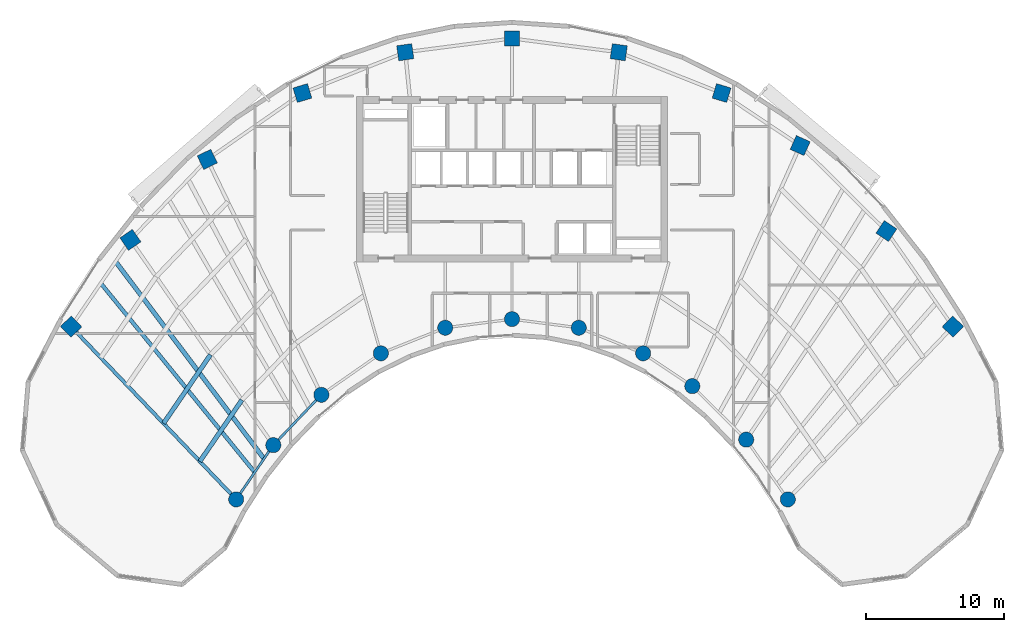
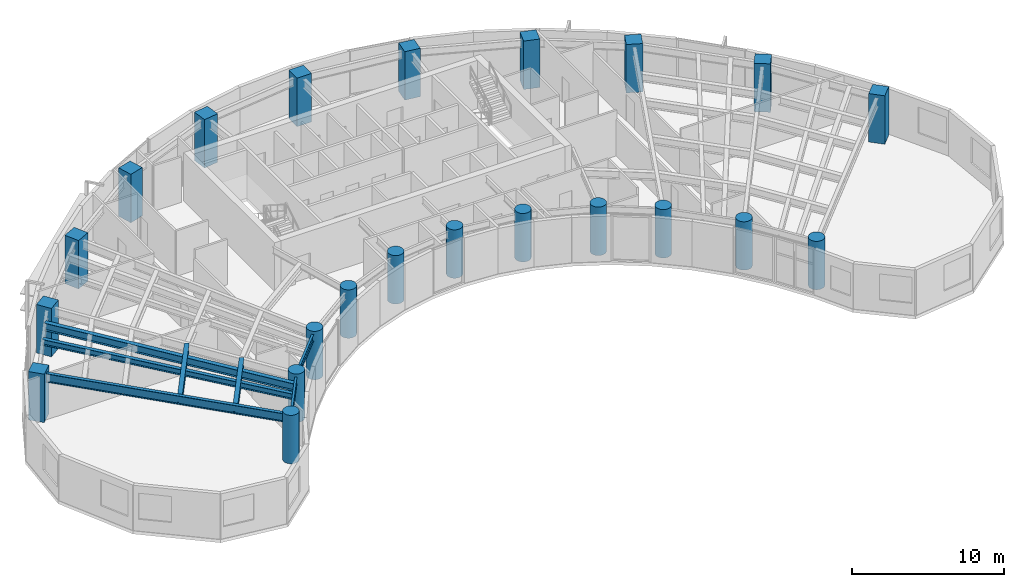
# One storey, part 1 of 13: 22 columns, 7 beams.
"""IFC4 building model written with IfcOpenShell, lengths in metres."""

from ifc_helpers import new_model, si_unit, direction, frame, origin, origin_2d, place, context, subcontext, project, spatial, rectangle, circle, i_section, extrude, source, transform, mapped, material, material_profile, profile_set, type_object, type_shapes, element, save


model = new_model("IFC4")

# Units and contexts
model_context = context("Model", 3, precision=1e-05, world=origin(), true_north=direction((0.0, 1.0)))
body_context = subcontext(model_context, "Body", "Model", "MODEL_VIEW")
ifc_project = project(units=[si_unit("LENGTHUNIT", "METRE"), si_unit("AREAUNIT", "SQUARE_METRE"), si_unit("VOLUMEUNIT", "CUBIC_METRE"), si_unit("PLANEANGLEUNIT", "RADIAN"), si_unit("MASSUNIT", "GRAM", prefix="KILO")], contexts=[model_context])

# Site, building, storey
site_placement = place(None, origin())
site = spatial("IfcSite", under=ifc_project, at=site_placement, CompositionType="ELEMENT")
building_placement = place(site_placement, origin())
building = spatial("IfcBuilding", under=site, at=building_placement, Name="Breltana Convention Tower", CompositionType="ELEMENT")
storey_placement = place(building_placement, frame((0.0, 0.0, 146.699951171875)))
storey = spatial("IfcBuildingStorey", under=building, at=storey_placement, Name="L35", CompositionType="ELEMENT", Elevation=146.699951171875)

# Columns
ifc_material_1 = material(Name="Concrete C60/75", Category="concrete")
ifc_material_profile_1 = material_profile(ifc_material_1, rectangle(XDim=1.10009765625, YDim=1.10009765625, at=origin_2d()), Name="RC-COL-1100X1100")
ifc_profile_set_1 = profile_set([ifc_material_profile_1], Name="Concrete C60/75")
column_type_1 = type_object("IfcColumnType", Name="COL-RC-1100", PredefinedType="COLUMN", material=ifc_profile_set_1)
shared_shape_1 = source(origin(), body_context, "Body", "SweptSolid", [
    extrude(rectangle(XDim=1.10009765625, YDim=1.10009765625, at=origin_2d()), origin(), (0.0, 0.0, 1.0), 3.900146484375),
])
for number, where, z_axis, x_axis, name in (
    (1, (16.0068359375, 55.494384765625, 0.0), (0.0, 0.0, 1.0), (-0.690756218984, 0.723087716626, 0.0), "L35 Tower Column R01-OUT"),
    (2, (20.310791015625, 61.78857421875, 0.0), (0.0, 0.0, 1.0), (-0.571143442153, 0.820850271661, 0.0), "L35 Tower Column R02-OUT"),
    (3, (25.8876953125, 67.626953125, 0.0), (0.0, 0.0, 1.0), (-0.436173672171, 0.899862504889, 0.0), "L35 Tower Column R03-OUT"),
    (4, (32.791015625, 72.4423828125, 0.0), (0.0, 0.0, 1.0), (-0.288697611798, 0.957420330337, 0.0), "L35 Tower Column R04-OUT"),
    (5, (40.253173828125, 75.404296875, 0.0), (0.0, 0.0, 1.0), (-0.143492621991, 0.98965138682, 0.0), "L35 Tower Column R05-OUT"),
    (6, (48.0, 76.404052734375, 0.0), (0.0, 0.0, 1.0), (0.0, 1.0, 0.0), "L35 Tower Column R06-OUT"),
    (7, (55.746826171875, 75.404296875, 0.0), (0.0, 0.0, 1.0), (0.143492621991, 0.98965138682, 0.0), "L35 Tower Column R07-OUT"),
    (8, (63.208984375, 72.4423828125, 0.0), (0.0, 0.0, 1.0), (0.288697611798, 0.957420330337, 0.0), "L35 Tower Column R08-OUT"),
    (9, (68.910400390625, 68.63330078125, 0.0), (0.0, 0.0, 1.0), (0.409126902895, 0.912477494148, 0.0), "L35 Tower Column R09-OUT"),
    (10, (75.166748046875, 62.43017578125, 0.0), (0.0, 0.0, 1.0), (0.55774510898, 0.830012285095, 0.0), "L35 Tower Column R10-OUT"),
    (11, (79.9931640625, 55.494384765625, 0.0), (0.0, 0.0, 1.0), (0.690756218984, 0.723087716626, 0.0), "L35 Tower Column R11-OUT"),
):
    element("IfcColumn", number, at=place(storey_placement, frame(where, z_axis=z_axis, x_axis=x_axis)), inside=storey, type_object=column_type_1, Name=name, PredefinedType="COLUMN", context=body_context, shape_type="MappedRepresentation", body=[
        mapped(shared_shape_1, transform((0.0, 0.0, 0.0), scale=1.0)),
    ])
ifc_material_2 = material(Name="Concrete C50/60", Category="concrete")
ifc_material_profile_2 = material_profile(ifc_material_2, circle(Radius=0.550048828125, at=origin_2d()), Name="RC-COL-D1100")
ifc_profile_set_2 = profile_set([ifc_material_profile_2], Name="Concrete C50/60")
column_type_2 = type_object("IfcColumnType", Name="COL-RC-D1100", PredefinedType="COLUMN", material=ifc_profile_set_2)
shared_shape_2 = source(origin(), body_context, "Body", "SweptSolid", [
    extrude(circle(Radius=0.550048828125, at=origin_2d()), origin(), (0.0, 0.0, 1.0), 3.900146484375),
])
for number, where, z_axis, x_axis, name in (
    (12, (27.984619140625, 42.95458984375, 0.0), (0.0, 0.0, 1.0), (-0.690756218984, 0.723087716626, 0.0), "L35 Tower Column R01-IN"),
    (13, (30.67724609375, 46.892333984375, 0.0), (0.0, 0.0, 1.0), (-0.571143442153, 0.820850271661, 0.0), "L35 Tower Column R02-IN"),
    (14, (34.166259765625, 50.544921875, 0.0), (0.0, 0.0, 1.0), (-0.436173672171, 0.899862504889, 0.0), "L35 Tower Column R03-IN"),
    (15, (38.485107421875, 53.5576171875, 0.0), (0.0, 0.0, 1.0), (-0.288697611798, 0.957420330337, 0.0), "L35 Tower Column R04-IN"),
    (16, (43.153564453125, 55.41064453125, 0.0), (0.0, 0.0, 1.0), (-0.143492621991, 0.98965138682, 0.0), "L35 Tower Column R05-IN"),
    (17, (48.0, 56.035888671875, 0.0), (0.0, 0.0, 1.0), (0.0, 1.0, 0.0), "L35 Tower Column R06-IN"),
    (18, (52.846435546875, 55.41064453125, 0.0), (0.0, 0.0, 1.0), (0.143492621991, 0.98965138682, 0.0), "L35 Tower Column R07-IN"),
    (19, (57.514892578125, 53.5576171875, 0.0), (0.0, 0.0, 1.0), (0.288697611798, 0.957420330337, 0.0), "L35 Tower Column R08-IN"),
    (20, (61.08203125, 51.174560546875, 0.0), (0.0, 0.0, 1.0), (0.409126902895, 0.912477494148, 0.0), "L35 Tower Column R09-IN"),
    (21, (64.995849609375, 47.293701171875, 0.0), (0.0, 0.0, 1.0), (0.55774510898, 0.830012285095, 0.0), "L35 Tower Column R10-IN"),
    (22, (68.015380859375, 42.95458984375, 0.0), (0.0, 0.0, 1.0), (0.690756218984, 0.723087716626, 0.0), "L35 Tower Column R11-IN"),
):
    element("IfcColumn", number, at=place(storey_placement, frame(where, z_axis=z_axis, x_axis=x_axis)), inside=storey, type_object=column_type_2, Name=name, PredefinedType="COLUMN", context=body_context, shape_type="MappedRepresentation", body=[
        mapped(shared_shape_2, transform((0.0, 0.0, 0.0), scale=1.0)),
    ])

# Beams
ifc_material_3 = material(Name="Steel ASTM A992 Grade 50", Category="steel")
ifc_material_profile_3 = material_profile(ifc_material_3, i_section(OverallWidth=0.25390625, OverallDepth=0.68798828125, WebThickness=0.01318359375, FlangeThickness=0.02099609375, at=origin_2d()), Name="W27X102")
ifc_profile_set_3 = profile_set([ifc_material_profile_3], Name="Steel ASTM A992 Grade 50")
beam_type_1 = type_object("IfcBeamType", Name="BM-RG-W27X102", PredefinedType="USERDEFINED", material=ifc_profile_set_3)
shared_shape_3 = source(origin(), body_context, "Body", "SweptSolid", [
    extrude(i_section(OverallWidth=0.25390625, OverallDepth=0.68798828125, WebThickness=0.01318359375, FlangeThickness=0.02099609375, at=origin_2d()), origin(), (0.0, 0.0, 1.0), 17.341064453125),
])
type_shapes(beam_type_1, [shared_shape_3])
beam_1_placement = place(storey_placement, frame((27.984619140625, 42.95458984375, 3.30615234375), z_axis=(-0.690716462293, 0.723125693581, 0.0), x_axis=(-0.723125693581, -0.690716462293, 0.0)))
element("IfcBeam", 23, at=beam_1_placement, inside=storey, type_object=beam_type_1, Name="L35 Radial Floor Girder R01", ObjectType="GIRDER", PredefinedType="USERDEFINED", context=body_context, shape_type="MappedRepresentation", body=[
    mapped(shared_shape_3, transform((0.0, 0.0, 0.0), scale=1.0)),
])
ifc_material_profile_4 = material_profile(ifc_material_3, i_section(OverallWidth=0.166015625, OverallDepth=0.534912109375, WebThickness=0.01025390625, FlangeThickness=0.0166015625, at=origin_2d()), Name="W21X57")
ifc_profile_set_4 = profile_set([ifc_material_profile_4], Name="Steel ASTM A992 Grade 50")
beam_type_2 = type_object("IfcBeamType", Name="BM-BM-W21X57", PredefinedType="BEAM", material=ifc_profile_set_4)
shared_shape_4 = source(origin(), body_context, "Body", "SweptSolid", [
    extrude(i_section(OverallWidth=0.166015625, OverallDepth=0.534912109375, WebThickness=0.01025390625, FlangeThickness=0.0166015625, at=origin_2d()), origin(), (0.0, 0.0, 1.0), 4.770263671875),
])
beam_2_placement = place(storey_placement, frame((27.984619140625, 42.95458984375, 3.382568359375), z_axis=(0.564452719055, 0.82546540082, 0.0), x_axis=(-0.82546540082, 0.564452719055, 0.0)))
element("IfcBeam", 24, at=beam_2_placement, inside=storey, type_object=beam_type_2, Name="L35 Inner Ring Beam 01", PredefinedType="BEAM", context=body_context, shape_type="MappedRepresentation", body=[
    mapped(shared_shape_4, transform((0.0, 0.0, 0.0), scale=1.0)),
])
shared_shape_5 = source(origin(), body_context, "Body", "SweptSolid", [
    extrude(i_section(OverallWidth=0.166015625, OverallDepth=0.534912109375, WebThickness=0.01025390625, FlangeThickness=0.0166015625, at=origin_2d()), origin(), (0.0, 0.0, 1.0), 5.05126953125),
])
beam_3_placement = place(storey_placement, frame((30.67724609375, 46.892333984375, 3.382568359375), z_axis=(0.690729753845, 0.7231129975, 0.0), x_axis=(-0.7231129975, 0.690729753845, 0.0)))
element("IfcBeam", 25, at=beam_3_placement, inside=storey, type_object=beam_type_2, Name="L35 Inner Ring Beam 02", PredefinedType="BEAM", context=body_context, shape_type="MappedRepresentation", body=[
    mapped(shared_shape_5, transform((0.0, 0.0, 0.0), scale=1.0)),
])
ifc_material_profile_5 = material_profile(ifc_material_3, i_section(OverallWidth=0.323974609375, OverallDepth=0.611083984375, WebThickness=0.0126953125, FlangeThickness=0.01904296875, at=origin_2d()), Name="W24X104")
ifc_profile_set_5 = profile_set([ifc_material_profile_5], Name="Steel ASTM A992 Grade 50")
beam_type_3 = type_object("IfcBeamType", Name="BM-JSG-01", PredefinedType="JOIST", material=ifc_profile_set_5)
shared_shape_6 = source(origin(), body_context, "Body", "SweptSolid", [
    extrude(i_section(OverallWidth=0.323974609375, OverallDepth=0.611083984375, WebThickness=0.0126953125, FlangeThickness=0.01904296875, at=origin_2d()), origin(), (0.0, 0.0, 1.0), 5.3984375),
])
beam_4_placement = place(storey_placement, frame((25.349365234375, 45.71337890625, 3.344482421875), z_axis=(0.564440705434, 0.825473615599, 0.0), x_axis=(-0.825473615599, 0.564440705434, 0.0)))
element("IfcBeam", 26, at=beam_4_placement, inside=storey, type_object=beam_type_3, Name="L35 Composite Floor Joist 01.1", PredefinedType="JOIST", context=body_context, shape_type="MappedRepresentation", body=[
    mapped(shared_shape_6, transform((0.0, 0.0, 0.0), scale=1.0)),
])
shared_shape_7 = source(origin(), body_context, "Body", "SweptSolid", [
    extrude(i_section(OverallWidth=0.323974609375, OverallDepth=0.611083984375, WebThickness=0.0126953125, FlangeThickness=0.01904296875, at=origin_2d()), origin(), (0.0, 0.0, 1.0), 6.0263671875),
])
beam_5_placement = place(storey_placement, frame((22.71435546875, 48.47216796875, 3.344482421875), z_axis=(0.564450071397, 0.825467211281, 0.0), x_axis=(-0.825467211281, 0.564450071397, 0.0)))
element("IfcBeam", 27, at=beam_5_placement, inside=storey, type_object=beam_type_3, Name="L35 Composite Floor Joist 01.2", PredefinedType="JOIST", context=body_context, shape_type="MappedRepresentation", body=[
    mapped(shared_shape_7, transform((0.0, 0.0, 0.0), scale=1.0)),
])
ifc_material_profile_6 = material_profile(ifc_material_3, i_section(OverallWidth=0.280029296875, OverallDepth=0.462890625, WebThickness=0.0107421875, FlangeThickness=0.017333984375, at=origin_2d()), Name="W18X76")
ifc_profile_set_6 = profile_set([ifc_material_profile_6], Name="Steel ASTM A992 Grade 50")
beam_type_4 = type_object("IfcBeamType", Name="BM-JSG-06", PredefinedType="JOIST", material=ifc_profile_set_6)
shared_shape_8 = source(origin(), body_context, "Body", "SweptSolid", [
    extrude(i_section(OverallWidth=0.280029296875, OverallDepth=0.462890625, WebThickness=0.0107421875, FlangeThickness=0.017333984375, at=origin_2d()), origin(), (0.0, 0.0, 1.0), 17.691650390625),
])
beam_6_placement = place(storey_placement, frame((29.330810546875, 44.923583984375, 3.41845703125), z_axis=(-0.631476958478, 0.775394642044, 0.0), x_axis=(-0.775394642044, -0.631476958478, 0.0)))
element("IfcBeam", 28, at=beam_6_placement, inside=storey, type_object=beam_type_4, Name="L35 Mid-Bay Radial Trimmer 01", PredefinedType="JOIST", context=body_context, shape_type="MappedRepresentation", body=[
    mapped(shared_shape_8, transform((0.0, 0.0, 0.0), scale=1.0)),
])
shared_shape_9 = source(origin(), body_context, "Body", "SweptSolid", [
    extrude(i_section(OverallWidth=0.323974609375, OverallDepth=0.611083984375, WebThickness=0.0126953125, FlangeThickness=0.01904296875, at=origin_2d()), origin(), (0.0, 0.0, 1.0), 17.9072265625),
])
beam_7_placement = place(storey_placement, frame((30.00390625, 45.907958984375, 3.344482421875), z_axis=(-0.601382105028, 0.798961553363, 0.0), x_axis=(-0.798961553363, -0.601382105028, 0.0)))
element("IfcBeam", 29, at=beam_7_placement, inside=storey, type_object=beam_type_3, Name="L35 Quarter-Bay Radial Trimmer 01", PredefinedType="JOIST", context=body_context, shape_type="MappedRepresentation", body=[
    mapped(shared_shape_9, transform((0.0, 0.0, 0.0), scale=1.0)),
])

save(model, "model.ifc")
